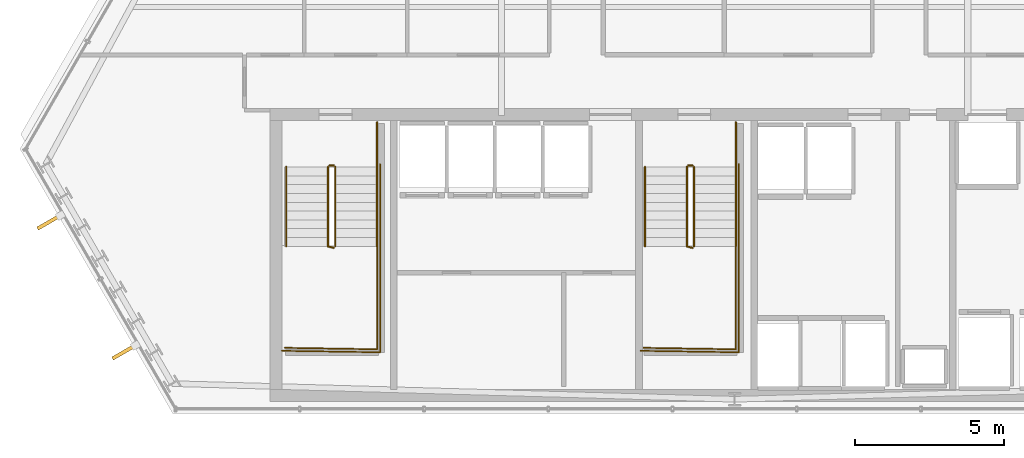
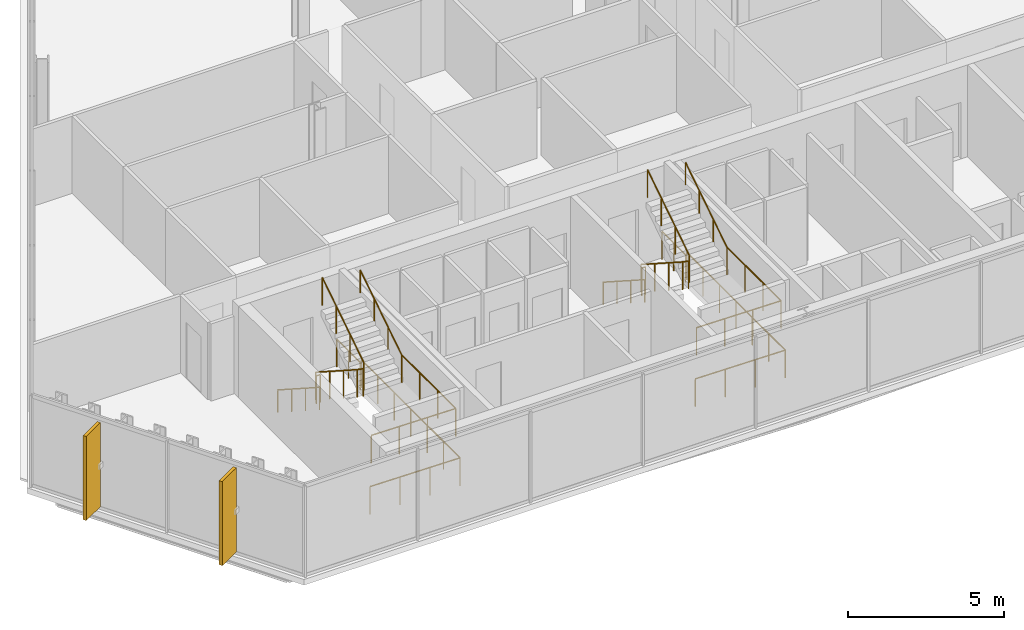
# One storey, part 32 of 35: 16 railings, 2 shading devices.
"""IFC4 building model written with IfcOpenShell, lengths in metres."""

from ifc_helpers import new_model, si_unit, direction, frame, origin, origin_2d, place, context, subcontext, project, spatial, rectangle, circle, extrude, material, layer, layer_set, type_object, element, save


model = new_model("IFC4")

# Units and contexts
model_context = context("Model", 3, precision=1e-05, world=origin(), true_north=direction((0.0, 1.0)))
body_context = subcontext(model_context, "Body", "Model", "MODEL_VIEW")
ifc_project = project(units=[si_unit("LENGTHUNIT", "METRE"), si_unit("AREAUNIT", "SQUARE_METRE"), si_unit("VOLUMEUNIT", "CUBIC_METRE"), si_unit("PLANEANGLEUNIT", "RADIAN"), si_unit("MASSUNIT", "GRAM", prefix="KILO")], contexts=[model_context])

# Site, building, storey
site_placement = place(None, origin())
site = spatial("IfcSite", under=ifc_project, at=site_placement, CompositionType="ELEMENT")
building_placement = place(site_placement, origin())
building = spatial("IfcBuilding", under=site, at=building_placement, Name="Ndaravel Arena Tower", CompositionType="ELEMENT")
storey_placement = place(building_placement, frame((0.0, 0.0, 172.60009765625)))
storey = spatial("IfcBuildingStorey", under=building, at=storey_placement, Name="L41", CompositionType="ELEMENT", Elevation=172.60009765625)

# Railings
ifc_material_1 = material(Name="Steel S355", Category="steel")
ifc_layer_1 = layer(ifc_material_1, 0.06005859375)
ifc_layer_set_1 = layer_set([ifc_layer_1], Name="Steel S355")
railing_type_1 = type_object("IfcRailingType", Name="RAIL-STAIR-GD1100", PredefinedType="GUARDRAIL", material=ifc_layer_set_1)
railing_1_placement = place(storey_placement, frame((28.39990234375, 13.25, 0.18994140625)))
element("IfcRailing", 1, at=railing_1_placement, inside=storey, type_object=railing_type_1, Name="L41 ST-1 stair guard 1", PredefinedType="GUARDRAIL", context=body_context, shape_type="SweptSolid", body=[
    extrude(circle(Radius=0.02392578125, at=origin_2d()), frame((0.0, 0.0, 1.076171875), z_axis=(0.0, -0.840723540582, 0.54146461409), x_axis=(1.0, 0.0, 0.0)), (0.0, 0.0, 1.0), 3.157958984375),
    extrude(circle(Radius=0.02392578125, at=origin_2d()), frame((0.0, -2.655029296875, 2.7861328125), z_axis=(0.967074537263, -0.25449329928, 0.0), x_axis=(0.25449329928, 0.967074537263, 0.0)), (0.0, 0.0, 1.0), 0.19677734375),
    extrude(circle(Radius=0.02099609375, at=origin_2d()), origin(), (0.0, 0.0, 1.0), 1.052001953125),
    extrude(circle(Radius=0.02099609375, at=origin_2d()), frame((0.0, -0.885009765625, 0.570068359375)), (0.0, 0.0, 1.0), 1.052001953125),
    extrude(circle(Radius=0.02099609375, at=origin_2d()), frame((0.0, -1.77001953125, 1.139892578125)), (0.0, 0.0, 1.0), 1.052001953125),
    extrude(circle(Radius=0.02099609375, at=origin_2d()), frame((0.0, -2.655029296875, 1.7099609375)), (0.0, 0.0, 1.0), 1.052001953125),
    extrude(circle(Radius=0.02099609375, at=origin_2d()), frame((0.190185546875, -2.705078125, 1.7099609375)), (0.0, 0.0, 1.0), 1.052001953125),
])
railing_2_placement = place(storey_placement, frame((30.0400390625, 10.594970703125, 1.89990234375)))
element("IfcRailing", 2, at=railing_2_placement, inside=storey, type_object=railing_type_1, Name="L41 ST-1 stair guard 2", PredefinedType="GUARDRAIL", context=body_context, shape_type="SweptSolid", body=[
    extrude(circle(Radius=0.02392578125, at=origin_2d()), frame((0.0, 0.0, 1.076171875), z_axis=(0.0, -1.0, 0.0), x_axis=(1.0, 0.0, 0.0)), (0.0, 0.0, 1.0), 3.445068359375),
    extrude(circle(Radius=0.02392578125, at=origin_2d()), frame((0.0, -3.445068359375, 1.076171875), z_axis=(-0.999868861343, 0.016194447071, 0.0), x_axis=(-0.016194447071, -0.999868861343, 0.0)), (0.0, 0.0, 1.0), 3.090576171875),
    extrude(circle(Radius=0.02099609375, at=origin_2d()), origin(), (0.0, 0.0, 1.0), 1.052001953125),
    extrude(circle(Radius=0.02099609375, at=origin_2d()), frame((0.0, -1.1484375, 0.0)), (0.0, 0.0, 1.0), 1.052001953125),
    extrude(circle(Radius=0.02099609375, at=origin_2d()), frame((0.0, -2.296630859375, 0.0)), (0.0, 0.0, 1.0), 1.052001953125),
    extrude(circle(Radius=0.02099609375, at=origin_2d()), frame((0.0, -3.445068359375, 0.0)), (0.0, 0.0, 1.0), 1.052001953125),
    extrude(circle(Radius=0.02099609375, at=origin_2d()), frame((-1.030029296875, -3.428466796875, 0.0)), (0.0, 0.0, 1.0), 1.052001953125),
    extrude(circle(Radius=0.02099609375, at=origin_2d()), frame((-2.06005859375, -3.41162109375, 0.0)), (0.0, 0.0, 1.0), 1.052001953125),
    extrude(circle(Radius=0.02099609375, at=origin_2d()), frame((-3.090087890625, -3.39501953125, 0.0)), (0.0, 0.0, 1.0), 1.052001953125),
])
railing_3_placement = place(storey_placement, frame((28.639892578125, 10.594970703125, 2.08984375)))
element("IfcRailing", 3, at=railing_3_placement, inside=storey, type_object=railing_type_1, Name="L41 ST-1 stair guard 3", PredefinedType="GUARDRAIL", context=body_context, shape_type="SweptSolid", body=[
    extrude(circle(Radius=0.02392578125, at=origin_2d()), frame((0.0, 0.0, 1.076171875), z_axis=(0.0, 0.840723540582, 0.54146461409), x_axis=(-1.0, 0.0, 0.0)), (0.0, 0.0, 1.0), 3.157958984375),
    extrude(circle(Radius=0.02099609375, at=origin_2d()), origin(), (0.0, 0.0, 1.0), 1.052001953125),
    extrude(circle(Radius=0.02099609375, at=origin_2d()), frame((0.0, 0.885009765625, 0.570068359375)), (0.0, 0.0, 1.0), 1.052001953125),
    extrude(circle(Radius=0.02099609375, at=origin_2d()), frame((0.0, 1.77001953125, 1.139892578125)), (0.0, 0.0, 1.0), 1.052001953125),
    extrude(circle(Radius=0.02099609375, at=origin_2d()), frame((0.0, 2.655029296875, 1.7099609375)), (0.0, 0.0, 1.0), 1.052001953125),
])
railing_4_placement = place(storey_placement, frame((28.449951171875, 13.300048828125, 0.0)))
element("IfcRailing", 4, at=railing_4_placement, inside=storey, type_object=railing_type_1, Name="L41 ST-1 stair guard 4", PredefinedType="GUARDRAIL", context=body_context, shape_type="SweptSolid", body=[
    extrude(circle(Radius=0.02392578125, at=origin_2d()), frame((0.0, 0.0, 1.076171875), z_axis=(1.0, 0.0, 0.0), x_axis=(0.0, 1.0, 0.0)), (0.0, 0.0, 1.0), 0.14013671875),
    extrude(circle(Radius=0.02099609375, at=origin_2d()), origin(), (0.0, 0.0, 1.0), 1.052001953125),
    extrude(circle(Radius=0.02099609375, at=origin_2d()), frame((0.14013671875, 0.0, 0.0)), (0.0, 0.0, 1.0), 1.052001953125),
])
railing_5_placement = place(storey_placement, frame((30.0400390625, 14.75, 0.0)))
element("IfcRailing", 5, at=railing_5_placement, inside=storey, type_object=railing_type_1, Name="L41 ST-1 stair guard 5", PredefinedType="GUARDRAIL", context=body_context, shape_type="SweptSolid", body=[
    extrude(circle(Radius=0.02392578125, at=origin_2d()), frame((0.0, 0.0, 1.076171875), z_axis=(0.0, -1.0, 0.0), x_axis=(1.0, 0.0, 0.0)), (0.0, 0.0, 1.0), 1.5),
    extrude(circle(Radius=0.02099609375, at=origin_2d()), origin(), (0.0, 0.0, 1.0), 1.052001953125),
    extrude(circle(Radius=0.02099609375, at=origin_2d()), frame((0.0, -0.75, 0.0)), (0.0, 0.0, 1.0), 1.052001953125),
    extrude(circle(Radius=0.02099609375, at=origin_2d()), frame((0.0, -1.5, 0.0)), (0.0, 0.0, 1.0), 1.052001953125),
])
railing_6_placement = place(storey_placement, frame((30.139892578125, 13.35009765625, 0.0)))
element("IfcRailing", 6, at=railing_6_placement, inside=storey, type_object=railing_type_1, Name="L41 ST-1 stair guard 6", PredefinedType="GUARDRAIL", context=body_context, shape_type="SweptSolid", body=[
    extrude(circle(Radius=0.02392578125, at=origin_2d()), frame((0.0, 0.0, 1.076171875), z_axis=(0.0, -1.0, 0.0), x_axis=(1.0, 0.0, 0.0)), (0.0, 0.0, 1.0), 6.300048828125),
    extrude(circle(Radius=0.02392578125, at=origin_2d()), frame((0.0, -6.300048828125, 1.076171875), z_axis=(-0.999884296952, 0.015211597839, 0.0), x_axis=(-0.015211597839, -0.999884296952, 0.0)), (0.0, 0.0, 1.0), 3.290283203125),
    extrude(circle(Radius=0.02099609375, at=origin_2d()), origin(), (0.0, 0.0, 1.0), 1.052001953125),
    extrude(circle(Radius=0.02099609375, at=origin_2d()), frame((0.0, -1.050048828125, 0.0)), (0.0, 0.0, 1.0), 1.052001953125),
    extrude(circle(Radius=0.02099609375, at=origin_2d()), frame((0.0, -2.10009765625, 0.0)), (0.0, 0.0, 1.0), 1.052001953125),
    extrude(circle(Radius=0.02099609375, at=origin_2d()), frame((0.0, -3.14990234375, 0.0)), (0.0, 0.0, 1.0), 1.052001953125),
    extrude(circle(Radius=0.02099609375, at=origin_2d()), frame((0.0, -4.199951171875, 0.0)), (0.0, 0.0, 1.0), 1.052001953125),
    extrude(circle(Radius=0.02099609375, at=origin_2d()), frame((0.0, -5.25, 0.0)), (0.0, 0.0, 1.0), 1.052001953125),
    extrude(circle(Radius=0.02099609375, at=origin_2d()), frame((0.0, -6.300048828125, 0.0)), (0.0, 0.0, 1.0), 1.052001953125),
    extrude(circle(Radius=0.02099609375, at=origin_2d()), frame((-1.0966796875, -6.283447265625, 0.0)), (0.0, 0.0, 1.0), 1.052001953125),
    extrude(circle(Radius=0.02099609375, at=origin_2d()), frame((-2.193115234375, -6.2666015625, 0.0)), (0.0, 0.0, 1.0), 1.052001953125),
    extrude(circle(Radius=0.02099609375, at=origin_2d()), frame((-3.289794921875, -6.25, 0.0)), (0.0, 0.0, 1.0), 1.052001953125),
])
railing_7_placement = place(storey_placement, frame((40.39990234375, 13.25, 0.18994140625)))
element("IfcRailing", 7, at=railing_7_placement, inside=storey, type_object=railing_type_1, Name="L41 ST-2 stair guard 1", PredefinedType="GUARDRAIL", context=body_context, shape_type="SweptSolid", body=[
    extrude(circle(Radius=0.02392578125, at=origin_2d()), frame((0.0, 0.0, 1.076171875), z_axis=(0.0, -0.840723540582, 0.54146461409), x_axis=(1.0, 0.0, 0.0)), (0.0, 0.0, 1.0), 3.157958984375),
    extrude(circle(Radius=0.02392578125, at=origin_2d()), frame((0.0, -2.655029296875, 2.7861328125), z_axis=(0.967074537263, -0.25449329928, 0.0), x_axis=(0.25449329928, 0.967074537263, 0.0)), (0.0, 0.0, 1.0), 0.19677734375),
    extrude(circle(Radius=0.02099609375, at=origin_2d()), origin(), (0.0, 0.0, 1.0), 1.052001953125),
    extrude(circle(Radius=0.02099609375, at=origin_2d()), frame((0.0, -0.885009765625, 0.570068359375)), (0.0, 0.0, 1.0), 1.052001953125),
    extrude(circle(Radius=0.02099609375, at=origin_2d()), frame((0.0, -1.77001953125, 1.139892578125)), (0.0, 0.0, 1.0), 1.052001953125),
    extrude(circle(Radius=0.02099609375, at=origin_2d()), frame((0.0, -2.655029296875, 1.7099609375)), (0.0, 0.0, 1.0), 1.052001953125),
    extrude(circle(Radius=0.02099609375, at=origin_2d()), frame((0.190185546875, -2.705078125, 1.7099609375)), (0.0, 0.0, 1.0), 1.052001953125),
])
railing_8_placement = place(storey_placement, frame((42.0400390625, 10.594970703125, 1.89990234375)))
element("IfcRailing", 8, at=railing_8_placement, inside=storey, type_object=railing_type_1, Name="L41 ST-2 stair guard 2", PredefinedType="GUARDRAIL", context=body_context, shape_type="SweptSolid", body=[
    extrude(circle(Radius=0.02392578125, at=origin_2d()), frame((0.0, 0.0, 1.076171875), z_axis=(0.0, -1.0, 0.0), x_axis=(1.0, 0.0, 0.0)), (0.0, 0.0, 1.0), 3.445068359375),
    extrude(circle(Radius=0.02392578125, at=origin_2d()), frame((0.0, -3.445068359375, 1.076171875), z_axis=(-0.999868861343, 0.016194447071, 0.0), x_axis=(-0.016194447071, -0.999868861343, 0.0)), (0.0, 0.0, 1.0), 3.090576171875),
    extrude(circle(Radius=0.02099609375, at=origin_2d()), origin(), (0.0, 0.0, 1.0), 1.052001953125),
    extrude(circle(Radius=0.02099609375, at=origin_2d()), frame((0.0, -1.1484375, 0.0)), (0.0, 0.0, 1.0), 1.052001953125),
    extrude(circle(Radius=0.02099609375, at=origin_2d()), frame((0.0, -2.296630859375, 0.0)), (0.0, 0.0, 1.0), 1.052001953125),
    extrude(circle(Radius=0.02099609375, at=origin_2d()), frame((0.0, -3.445068359375, 0.0)), (0.0, 0.0, 1.0), 1.052001953125),
    extrude(circle(Radius=0.02099609375, at=origin_2d()), frame((-1.030029296875, -3.428466796875, 0.0)), (0.0, 0.0, 1.0), 1.052001953125),
    extrude(circle(Radius=0.02099609375, at=origin_2d()), frame((-2.06005859375, -3.41162109375, 0.0)), (0.0, 0.0, 1.0), 1.052001953125),
    extrude(circle(Radius=0.02099609375, at=origin_2d()), frame((-3.090087890625, -3.39501953125, 0.0)), (0.0, 0.0, 1.0), 1.052001953125),
])
railing_9_placement = place(storey_placement, frame((40.639892578125, 10.594970703125, 2.08984375)))
element("IfcRailing", 9, at=railing_9_placement, inside=storey, type_object=railing_type_1, Name="L41 ST-2 stair guard 3", PredefinedType="GUARDRAIL", context=body_context, shape_type="SweptSolid", body=[
    extrude(circle(Radius=0.02392578125, at=origin_2d()), frame((0.0, 0.0, 1.076171875), z_axis=(0.0, 0.840723540582, 0.54146461409), x_axis=(-1.0, 0.0, 0.0)), (0.0, 0.0, 1.0), 3.157958984375),
    extrude(circle(Radius=0.02099609375, at=origin_2d()), origin(), (0.0, 0.0, 1.0), 1.052001953125),
    extrude(circle(Radius=0.02099609375, at=origin_2d()), frame((0.0, 0.885009765625, 0.570068359375)), (0.0, 0.0, 1.0), 1.052001953125),
    extrude(circle(Radius=0.02099609375, at=origin_2d()), frame((0.0, 1.77001953125, 1.139892578125)), (0.0, 0.0, 1.0), 1.052001953125),
    extrude(circle(Radius=0.02099609375, at=origin_2d()), frame((0.0, 2.655029296875, 1.7099609375)), (0.0, 0.0, 1.0), 1.052001953125),
])
railing_10_placement = place(storey_placement, frame((40.449951171875, 13.300048828125, 0.0)))
element("IfcRailing", 10, at=railing_10_placement, inside=storey, type_object=railing_type_1, Name="L41 ST-2 stair guard 4", PredefinedType="GUARDRAIL", context=body_context, shape_type="SweptSolid", body=[
    extrude(circle(Radius=0.02392578125, at=origin_2d()), frame((0.0, 0.0, 1.076171875), z_axis=(1.0, 0.0, 0.0), x_axis=(0.0, 1.0, 0.0)), (0.0, 0.0, 1.0), 0.14013671875),
    extrude(circle(Radius=0.02099609375, at=origin_2d()), origin(), (0.0, 0.0, 1.0), 1.052001953125),
    extrude(circle(Radius=0.02099609375, at=origin_2d()), frame((0.14013671875, 0.0, 0.0)), (0.0, 0.0, 1.0), 1.052001953125),
])
railing_11_placement = place(storey_placement, frame((42.0400390625, 14.75, 0.0)))
element("IfcRailing", 11, at=railing_11_placement, inside=storey, type_object=railing_type_1, Name="L41 ST-2 stair guard 5", PredefinedType="GUARDRAIL", context=body_context, shape_type="SweptSolid", body=[
    extrude(circle(Radius=0.02392578125, at=origin_2d()), frame((0.0, 0.0, 1.076171875), z_axis=(0.0, -1.0, 0.0), x_axis=(1.0, 0.0, 0.0)), (0.0, 0.0, 1.0), 1.5),
    extrude(circle(Radius=0.02099609375, at=origin_2d()), origin(), (0.0, 0.0, 1.0), 1.052001953125),
    extrude(circle(Radius=0.02099609375, at=origin_2d()), frame((0.0, -0.75, 0.0)), (0.0, 0.0, 1.0), 1.052001953125),
    extrude(circle(Radius=0.02099609375, at=origin_2d()), frame((0.0, -1.5, 0.0)), (0.0, 0.0, 1.0), 1.052001953125),
])
railing_12_placement = place(storey_placement, frame((42.139892578125, 13.35009765625, 0.0)))
element("IfcRailing", 12, at=railing_12_placement, inside=storey, type_object=railing_type_1, Name="L41 ST-2 stair guard 6", PredefinedType="GUARDRAIL", context=body_context, shape_type="SweptSolid", body=[
    extrude(circle(Radius=0.02392578125, at=origin_2d()), frame((0.0, 0.0, 1.076171875), z_axis=(0.0, -1.0, 0.0), x_axis=(1.0, 0.0, 0.0)), (0.0, 0.0, 1.0), 6.300048828125),
    extrude(circle(Radius=0.02392578125, at=origin_2d()), frame((0.0, -6.300048828125, 1.076171875), z_axis=(-0.999884296952, 0.015211597839, 0.0), x_axis=(-0.015211597839, -0.999884296952, 0.0)), (0.0, 0.0, 1.0), 3.290283203125),
    extrude(circle(Radius=0.02099609375, at=origin_2d()), origin(), (0.0, 0.0, 1.0), 1.052001953125),
    extrude(circle(Radius=0.02099609375, at=origin_2d()), frame((0.0, -1.050048828125, 0.0)), (0.0, 0.0, 1.0), 1.052001953125),
    extrude(circle(Radius=0.02099609375, at=origin_2d()), frame((0.0, -2.10009765625, 0.0)), (0.0, 0.0, 1.0), 1.052001953125),
    extrude(circle(Radius=0.02099609375, at=origin_2d()), frame((0.0, -3.14990234375, 0.0)), (0.0, 0.0, 1.0), 1.052001953125),
    extrude(circle(Radius=0.02099609375, at=origin_2d()), frame((0.0, -4.199951171875, 0.0)), (0.0, 0.0, 1.0), 1.052001953125),
    extrude(circle(Radius=0.02099609375, at=origin_2d()), frame((0.0, -5.25, 0.0)), (0.0, 0.0, 1.0), 1.052001953125),
    extrude(circle(Radius=0.02099609375, at=origin_2d()), frame((0.0, -6.300048828125, 0.0)), (0.0, 0.0, 1.0), 1.052001953125),
    extrude(circle(Radius=0.02099609375, at=origin_2d()), frame((-1.0966796875, -6.283447265625, 0.0)), (0.0, 0.0, 1.0), 1.052001953125),
    extrude(circle(Radius=0.02099609375, at=origin_2d()), frame((-2.193115234375, -6.2666015625, 0.0)), (0.0, 0.0, 1.0), 1.052001953125),
    extrude(circle(Radius=0.02099609375, at=origin_2d()), frame((-3.289794921875, -6.25, 0.0)), (0.0, 0.0, 1.0), 1.052001953125),
])
ifc_material_2 = material(Name="Steel S355", Category="steel")
ifc_layer_2 = layer(ifc_material_2, 0.050048828125)
ifc_layer_set_2 = layer_set([ifc_layer_2], Name="Steel S355")
railing_type_2 = type_object("IfcRailingType", Name="RAIL-STAIR-HR920", PredefinedType="HANDRAIL", material=ifc_layer_set_2)
railing_13_placement = place(storey_placement, frame((27.0, 13.25, 0.18994140625)))
element("IfcRailing", 13, at=railing_13_placement, inside=storey, type_object=railing_type_2, Name="L41 ST-1 stair handrail 1", PredefinedType="HANDRAIL", context=body_context, shape_type="SweptSolid", body=[
    extrude(circle(Radius=0.02392578125, at=origin_2d()), frame((0.0, 0.0, 0.8759765625), z_axis=(0.0, -0.840723540582, 0.54146461409), x_axis=(1.0, 0.0, 0.0)), (0.0, 0.0, 1.0), 3.157958984375),
    extrude(circle(Radius=0.02099609375, at=origin_2d()), origin(), (0.0, 0.0, 1.0), 0.851806640625),
    extrude(circle(Radius=0.02099609375, at=origin_2d()), frame((0.0, -0.885009765625, 0.570068359375)), (0.0, 0.0, 1.0), 0.851806640625),
    extrude(circle(Radius=0.02099609375, at=origin_2d()), frame((0.0, -1.77001953125, 1.139892578125)), (0.0, 0.0, 1.0), 0.851806640625),
    extrude(circle(Radius=0.02099609375, at=origin_2d()), frame((0.0, -2.655029296875, 1.7099609375)), (0.0, 0.0, 1.0), 0.851806640625),
])
railing_14_placement = place(storey_placement, frame((30.0400390625, 10.594970703125, 2.08984375)))
element("IfcRailing", 14, at=railing_14_placement, inside=storey, type_object=railing_type_2, Name="L41 ST-1 stair handrail 2", PredefinedType="HANDRAIL", context=body_context, shape_type="SweptSolid", body=[
    extrude(circle(Radius=0.02392578125, at=origin_2d()), frame((0.0, 0.0, 0.8759765625), z_axis=(0.0, 0.840723540582, 0.54146461409), x_axis=(-1.0, 0.0, 0.0)), (0.0, 0.0, 1.0), 3.157958984375),
    extrude(circle(Radius=0.02099609375, at=origin_2d()), origin(), (0.0, 0.0, 1.0), 0.851806640625),
    extrude(circle(Radius=0.02099609375, at=origin_2d()), frame((0.0, 0.885009765625, 0.570068359375)), (0.0, 0.0, 1.0), 0.851806640625),
    extrude(circle(Radius=0.02099609375, at=origin_2d()), frame((0.0, 1.77001953125, 1.139892578125)), (0.0, 0.0, 1.0), 0.851806640625),
    extrude(circle(Radius=0.02099609375, at=origin_2d()), frame((0.0, 2.655029296875, 1.7099609375)), (0.0, 0.0, 1.0), 0.851806640625),
])
railing_15_placement = place(storey_placement, frame((39.0, 13.25, 0.18994140625)))
element("IfcRailing", 15, at=railing_15_placement, inside=storey, type_object=railing_type_2, Name="L41 ST-2 stair handrail 1", PredefinedType="HANDRAIL", context=body_context, shape_type="SweptSolid", body=[
    extrude(circle(Radius=0.02392578125, at=origin_2d()), frame((0.0, 0.0, 0.8759765625), z_axis=(0.0, -0.840723540582, 0.54146461409), x_axis=(1.0, 0.0, 0.0)), (0.0, 0.0, 1.0), 3.157958984375),
    extrude(circle(Radius=0.02099609375, at=origin_2d()), origin(), (0.0, 0.0, 1.0), 0.851806640625),
    extrude(circle(Radius=0.02099609375, at=origin_2d()), frame((0.0, -0.885009765625, 0.570068359375)), (0.0, 0.0, 1.0), 0.851806640625),
    extrude(circle(Radius=0.02099609375, at=origin_2d()), frame((0.0, -1.77001953125, 1.139892578125)), (0.0, 0.0, 1.0), 0.851806640625),
    extrude(circle(Radius=0.02099609375, at=origin_2d()), frame((0.0, -2.655029296875, 1.7099609375)), (0.0, 0.0, 1.0), 0.851806640625),
])
railing_16_placement = place(storey_placement, frame((42.0400390625, 10.594970703125, 2.08984375)))
element("IfcRailing", 16, at=railing_16_placement, inside=storey, type_object=railing_type_2, Name="L41 ST-2 stair handrail 2", PredefinedType="HANDRAIL", context=body_context, shape_type="SweptSolid", body=[
    extrude(circle(Radius=0.02392578125, at=origin_2d()), frame((0.0, 0.0, 0.8759765625), z_axis=(0.0, 0.840723540582, 0.54146461409), x_axis=(-1.0, 0.0, 0.0)), (0.0, 0.0, 1.0), 3.157958984375),
    extrude(circle(Radius=0.02099609375, at=origin_2d()), origin(), (0.0, 0.0, 1.0), 0.851806640625),
    extrude(circle(Radius=0.02099609375, at=origin_2d()), frame((0.0, 0.885009765625, 0.570068359375)), (0.0, 0.0, 1.0), 0.851806640625),
    extrude(circle(Radius=0.02099609375, at=origin_2d()), frame((0.0, 1.77001953125, 1.139892578125)), (0.0, 0.0, 1.0), 0.851806640625),
    extrude(circle(Radius=0.02099609375, at=origin_2d()), frame((0.0, 2.655029296875, 1.7099609375)), (0.0, 0.0, 1.0), 0.851806640625),
])

# Shading devices
ifc_material_3 = material(Name="Masonry", Category="masonry")
shading_device_type = type_object("IfcShadingDeviceType", Name="SHD-MAZERAS-FIN", PredefinedType="SHUTTER", material=ifc_material_3)
for number, where, z_axis, x_axis, name in (
    (17, (19.070068359375, 11.41259765625, 0.14990234375), (0.0, 0.0, 1.0), (-0.866025403784, -0.5, 0.0), "L41 Mazeras Stone Solar Fin E6.1"),
    (18, (21.579345703125, 7.066162109375, 0.14990234375), (0.0, 0.0, 1.0), (-0.866025403784, -0.5, 0.0), "L41 Mazeras Stone Solar Fin E6.2"),
):
    element("IfcShadingDevice", number, at=place(storey_placement, frame(where, z_axis=z_axis, x_axis=x_axis)), inside=storey, type_object=shading_device_type, Name=name, PredefinedType="SHUTTER", context=body_context, shape_type="SweptSolid", body=[
        extrude(rectangle(XDim=0.89990234375, YDim=0.1201171875, at=origin_2d()), origin(), (0.0, 0.0, 1.0), 3.280029296875),
    ])

save(model, "model.ifc")
